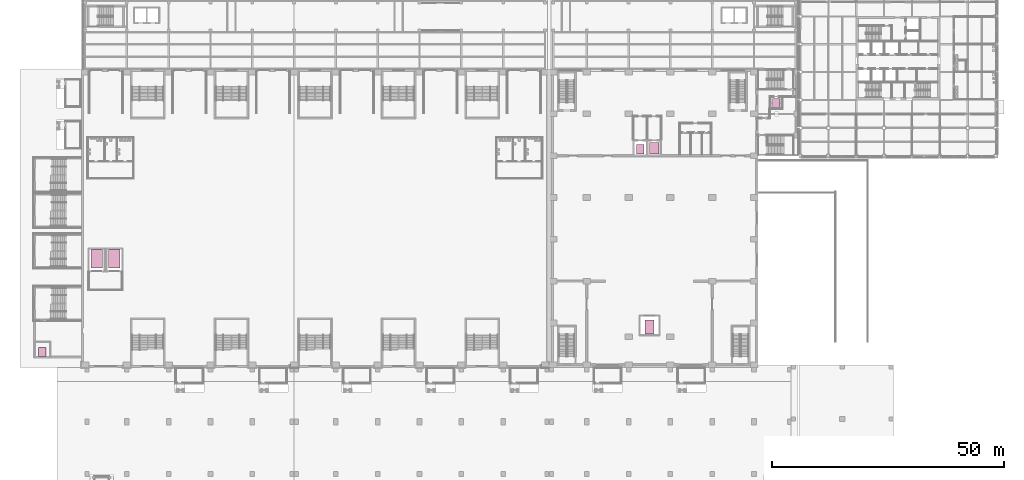
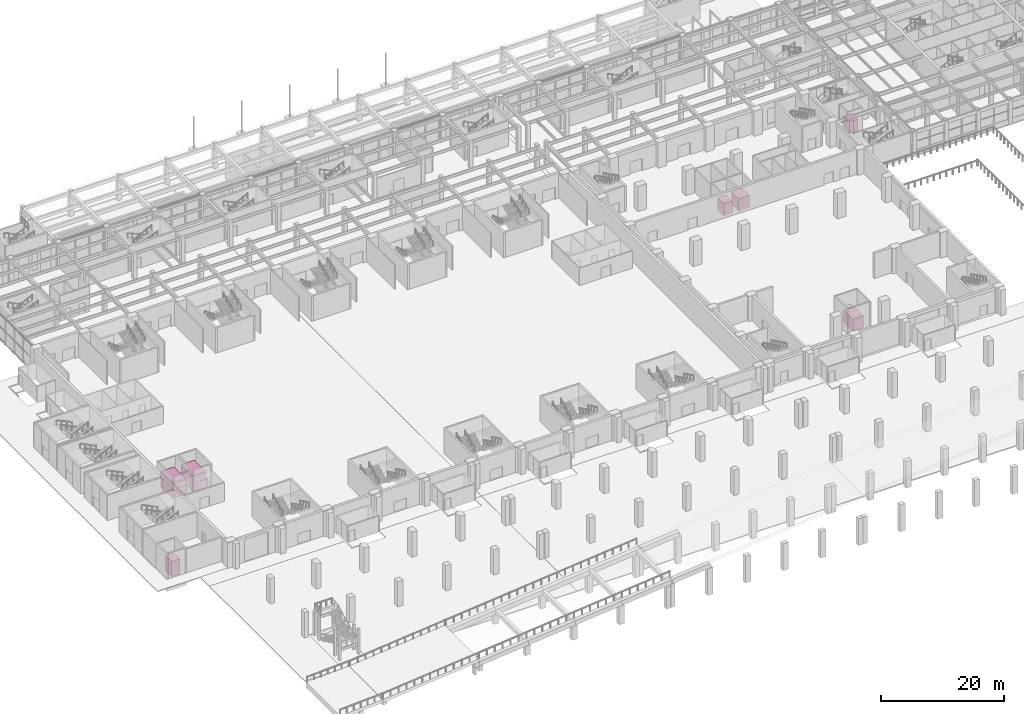
# One storey, part 77 of 77: 7 transport elements.
"""IFC4 building model written with IfcOpenShell, lengths in metres."""

from ifc_helpers import new_model, si_unit, direction, frame, origin, origin_2d, place, context, subcontext, project, spatial, rectangle, extrude, material, type_object, element, save


model = new_model("IFC4")

# Units and contexts
model_context = context("Model", 3, precision=1e-05, world=origin(), true_north=direction((0.0, 1.0)))
body_context = subcontext(model_context, "Body", "Model", "MODEL_VIEW")
ifc_project = project(units=[si_unit("LENGTHUNIT", "METRE"), si_unit("AREAUNIT", "SQUARE_METRE"), si_unit("VOLUMEUNIT", "CUBIC_METRE"), si_unit("PLANEANGLEUNIT", "RADIAN"), si_unit("MASSUNIT", "GRAM", prefix="KILO")], contexts=[model_context])

# Site, building, storey
site_placement = place(None, origin())
site = spatial("IfcSite", under=ifc_project, at=site_placement, CompositionType="ELEMENT")
building_placement = place(site_placement, origin())
building = spatial("IfcBuilding", under=site, at=building_placement, Name="Aravalli Gate Trade Fair Centre", CompositionType="ELEMENT")
storey_placement = place(building_placement, origin())
storey = spatial("IfcBuildingStorey", under=building, at=storey_placement, Name="L00", CompositionType="ELEMENT", Elevation=0.0)

# Transport elements
ifc_material_1 = material(Name="Elevator car and guide equipment")
transport_element_type_1 = type_object("IfcTransportElementType", Name="Congress firefighting lift car 2000 x 2400", PredefinedType="ELEVATOR", material=ifc_material_1)
transport_element_1_placement = place(storey_placement, frame((128.5, 92.6201171875, 0.0), z_axis=(0.0, 0.0, 1.0), x_axis=(1.0, 0.0, 0.0)))
element("IfcTransportElement", 1, at=transport_element_1_placement, inside=storey, type_object=transport_element_type_1, Name="Firefighting lift GL2", PredefinedType="ELEVATOR", context=body_context, shape_type="SweptSolid", body=[
    extrude(rectangle(XDim=2.0, YDim=2.39990234375, at=origin_2d()), origin(), (0.0, 0.0, 1.0), 2.39990234375),
])
transport_element_type_2 = type_object("IfcTransportElementType", Name="Congress passenger lift car 1600 x 2000", PredefinedType="ELEVATOR", material=ifc_material_1)
transport_element_2_placement = place(storey_placement, frame((125.5, 92.419921875, 0.0), z_axis=(0.0, 0.0, 1.0), x_axis=(1.0, 0.0, 0.0)))
element("IfcTransportElement", 2, at=transport_element_2_placement, inside=storey, type_object=transport_element_type_2, Name="Passenger lift GL1", PredefinedType="ELEVATOR", context=body_context, shape_type="SweptSolid", body=[
    extrude(rectangle(XDim=1.60009765625, YDim=2.0, at=origin_2d()), origin(), (0.0, 0.0, 1.0), 2.39990234375),
])
transport_element_type_3 = type_object("IfcTransportElementType", Name="Congress scenery goods lift car 2000 x 3000", PredefinedType="ELEVATOR", material=ifc_material_1)
transport_element_3_placement = place(storey_placement, frame((127.5, 54.14990234375, 0.0), z_axis=(0.0, 0.0, 1.0), x_axis=(1.0, 0.0, 0.0)))
element("IfcTransportElement", 3, at=transport_element_3_placement, inside=storey, type_object=transport_element_type_3, Name="Goods lift GL3", PredefinedType="ELEVATOR", context=body_context, shape_type="SweptSolid", body=[
    extrude(rectangle(XDim=2.0, YDim=3.0, at=origin_2d()), origin(), (0.0, 0.0, 1.0), 2.39990234375),
])
ifc_material_2 = material(Name="Steel", Category="steel")
transport_element_type_4 = type_object("IfcTransportElementType", Name="Firefighting lift 1000 kg", PredefinedType="ELEVATOR", material=ifc_material_2)
transport_element_4_placement = place(storey_placement, frame((-3.199951171875, 48.75, 0.0), z_axis=(0.0, 0.0, 1.0), x_axis=(1.0, 0.0, 0.0)))
element("IfcTransportElement", 4, at=transport_element_4_placement, inside=storey, type_object=transport_element_type_4, Name="Firefighting lift FFL-H", PredefinedType="ELEVATOR", context=body_context, shape_type="SweptSolid", body=[
    extrude(rectangle(XDim=1.60009765625, YDim=2.0, at=origin_2d()), origin(), (0.0, 0.0, 1.0), 3.0),
])
transport_element_type_5 = type_object("IfcTransportElementType", Name="Freight lift 5000 kg", PredefinedType="ELEVATOR", material=ifc_material_2)
for number, where, z_axis, x_axis, name in (
    (5, (8.5, 68.85009765625, 0.0), (0.0, 0.0, 1.0), (1.0, 0.0, 0.0), "Goods lift FL1"),
    (6, (12.300048828125, 68.85009765625, 0.0), (0.0, 0.0, 1.0), (1.0, 0.0, 0.0), "Goods lift FL2"),
):
    element("IfcTransportElement", number, at=place(storey_placement, frame(where, z_axis=z_axis, x_axis=x_axis)), inside=storey, type_object=transport_element_type_5, Name=name, PredefinedType="ELEVATOR", context=body_context, shape_type="SweptSolid", body=[
        extrude(rectangle(XDim=2.5, YDim=4.0, at=origin_2d()), origin(), (0.0, 0.0, 1.0), 3.0),
    ])
transport_element_type_6 = type_object("IfcTransportElementType", Name="Link evacuation lift car 1600 x 2000", PredefinedType="ELEVATOR", material=ifc_material_1)
transport_element_5_placement = place(storey_placement, frame((154.800048828125, 102.300048828125, 0.0), z_axis=(0.0, 0.0, 1.0), x_axis=(1.0, 0.0, 0.0)))
element("IfcTransportElement", 7, at=transport_element_5_placement, inside=storey, type_object=transport_element_type_6, Name="Evacuation lift TFH1", PredefinedType="ELEVATOR", context=body_context, shape_type="SweptSolid", body=[
    extrude(rectangle(XDim=1.60009765625, YDim=2.0, at=origin_2d()), origin(), (0.0, 0.0, 1.0), 2.39990234375),
])

save(model, "model.ifc")
